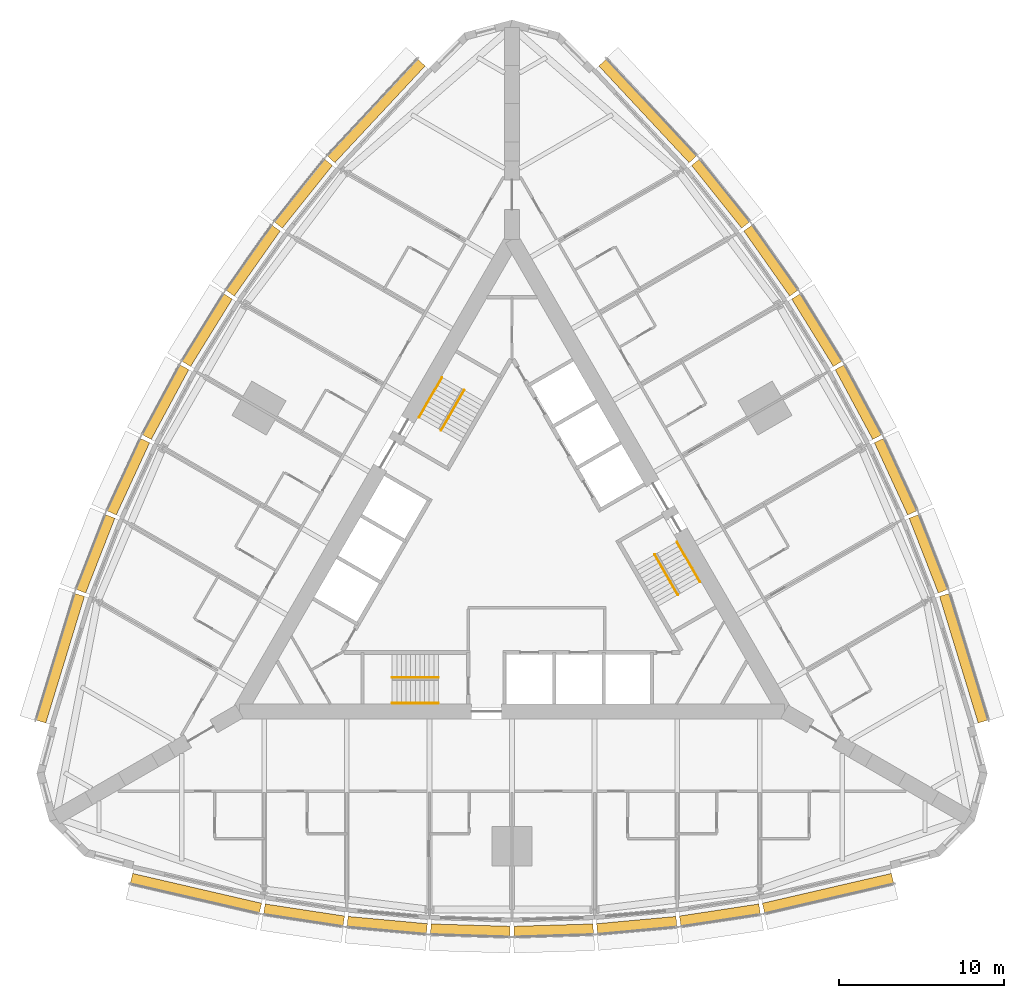
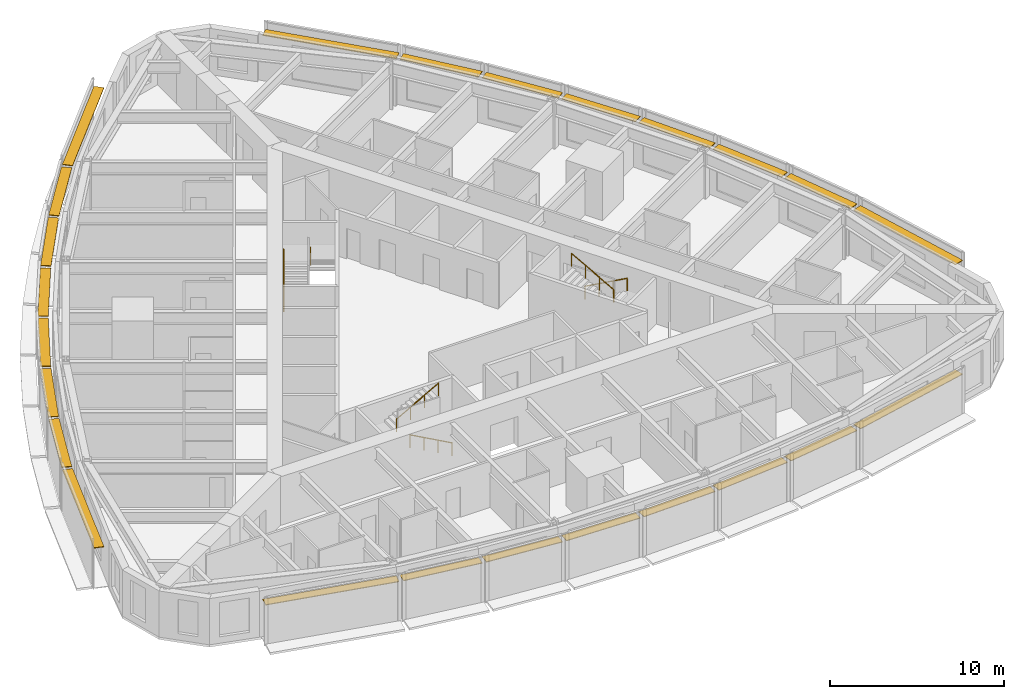
# One storey, part 14 of 14: 24 shading devices, 6 railings.
"""IFC4 building model written with IfcOpenShell, lengths in metres."""

from ifc_helpers import new_model, si_unit, direction, frame, origin, origin_2d, place, context, subcontext, project, spatial, rectangle, circle, extrude, material, type_object, element, save


model = new_model("IFC4")

# Units and contexts
model_context = context("Model", 3, precision=1e-05, world=origin(), true_north=direction((0.0, 1.0)))
body_context = subcontext(model_context, "Body", "Model", "MODEL_VIEW")
ifc_project = project(units=[si_unit("LENGTHUNIT", "METRE"), si_unit("AREAUNIT", "SQUARE_METRE"), si_unit("VOLUMEUNIT", "CUBIC_METRE"), si_unit("PLANEANGLEUNIT", "RADIAN"), si_unit("MASSUNIT", "GRAM", prefix="KILO")], contexts=[model_context])

# Site, building, storey
site_placement = place(None, origin())
site = spatial("IfcSite", under=ifc_project, at=site_placement, CompositionType="ELEMENT")
building_placement = place(site_placement, origin())
building = spatial("IfcBuilding", under=site, at=building_placement, Name="Trikona Tower", CompositionType="ELEMENT")
storey_placement = place(building_placement, frame((0.0, 0.0, 76.10009765625)))
storey = spatial("IfcBuildingStorey", under=building, at=storey_placement, Name="L19", CompositionType="ELEMENT", Elevation=76.10009765625)

# Shading devices
ifc_material_1 = material(Name="Aluminium louvre blade, pale anodised", Category="aluminium")
shading_device_type = type_object("IfcShadingDeviceType", Name="Cavity louvre 600", PredefinedType="USERDEFINED", material=ifc_material_1)
shading_device_1_placement = place(storey_placement, frame((-19.126220703125, -20.5234375, 2.77490234375), z_axis=(0.0, 0.0, 1.0), x_axis=(0.974277718622, -0.225350675607, 0.0)))
element("IfcShadingDevice", 1, at=shading_device_1_placement, inside=storey, type_object=shading_device_type, Name="Cavity louvre L19-00", ObjectType="LOUVRE", PredefinedType="USERDEFINED", context=body_context, shape_type="SweptSolid", body=[
    extrude(rectangle(XDim=8.01123046875, YDim=0.60009765625, at=origin_2d()), origin(), (0.0, 0.0, 1.0), 0.050048828125),
])
shading_device_2_placement = place(storey_placement, frame((-12.584228515625, -21.837158203125, 2.77490234375), z_axis=(0.0, 0.0, 1.0), x_axis=(0.988617896768, -0.150448177754, 0.0)))
element("IfcShadingDevice", 2, at=shading_device_2_placement, inside=storey, type_object=shading_device_type, Name="Cavity louvre L19-01", ObjectType="LOUVRE", PredefinedType="USERDEFINED", context=body_context, shape_type="SweptSolid", body=[
    extrude(rectangle(XDim=4.857666015625, YDim=0.60009765625, at=origin_2d()), origin(), (0.0, 0.0, 1.0), 0.050048828125),
])
shading_device_3_placement = place(storey_placement, frame((-7.55078125, -22.44970703125, 2.77490234375), z_axis=(0.0, 0.0, 1.0), x_axis=(0.995858098326, -0.090921108655, 0.0)))
element("IfcShadingDevice", 3, at=shading_device_3_placement, inside=storey, type_object=shading_device_type, Name="Cavity louvre L19-02", ObjectType="LOUVRE", PredefinedType="USERDEFINED", context=body_context, shape_type="SweptSolid", body=[
    extrude(rectangle(XDim=4.82080078125, YDim=0.60009765625, at=origin_2d()), origin(), (0.0, 0.0, 1.0), 0.050048828125),
])
for number, where, z_axis, x_axis, name in (
    (4, (-2.51708984375, -22.756103515625, 2.77490234375), (0.0, 0.0, 1.0), (0.999537048889, -0.030425119525, 0.0), "Cavity louvre L19-03"),
    (5, (2.51708984375, -22.756103515625, 2.77490234375), (0.0, 0.0, 1.0), (0.999537048889, 0.030425119525, 0.0), "Cavity louvre L19-04"),
):
    element("IfcShadingDevice", number, at=place(storey_placement, frame(where, z_axis=z_axis, x_axis=x_axis)), inside=storey, type_object=shading_device_type, Name=name, ObjectType="LOUVRE", PredefinedType="USERDEFINED", context=body_context, shape_type="SweptSolid", body=[
        extrude(rectangle(XDim=4.80224609375, YDim=0.60009765625, at=origin_2d()), origin(), (0.0, 0.0, 1.0), 0.050048828125),
    ])
shading_device_4_placement = place(storey_placement, frame((7.55078125, -22.44970703125, 2.77490234375), z_axis=(0.0, 0.0, 1.0), x_axis=(0.995858098326, 0.090921108655, 0.0)))
element("IfcShadingDevice", 6, at=shading_device_4_placement, inside=storey, type_object=shading_device_type, Name="Cavity louvre L19-05", ObjectType="LOUVRE", PredefinedType="USERDEFINED", context=body_context, shape_type="SweptSolid", body=[
    extrude(rectangle(XDim=4.82080078125, YDim=0.60009765625, at=origin_2d()), origin(), (0.0, 0.0, 1.0), 0.050048828125),
])
shading_device_5_placement = place(storey_placement, frame((12.584228515625, -21.837158203125, 2.77490234375), z_axis=(0.0, 0.0, 1.0), x_axis=(0.988617896768, 0.150448177754, 0.0)))
element("IfcShadingDevice", 7, at=shading_device_5_placement, inside=storey, type_object=shading_device_type, Name="Cavity louvre L19-06", ObjectType="LOUVRE", PredefinedType="USERDEFINED", context=body_context, shape_type="SweptSolid", body=[
    extrude(rectangle(XDim=4.857666015625, YDim=0.60009765625, at=origin_2d()), origin(), (0.0, 0.0, 1.0), 0.050048828125),
])
for number, where, z_axis, x_axis, name in (
    (8, (19.126220703125, -20.5234375, 2.77490234375), (0.0, 0.0, 1.0), (0.974277718622, 0.225350675607, 0.0), "Cavity louvre L19-07"),
    (9, (27.3369140625, -6.302001953125, 2.77490234375), (0.0, 0.0, 1.0), (-0.291979449475, 0.956424592471, 0.0), "Cavity louvre L19-12"),
):
    element("IfcShadingDevice", number, at=place(storey_placement, frame(where, z_axis=z_axis, x_axis=x_axis)), inside=storey, type_object=shading_device_type, Name=name, ObjectType="LOUVRE", PredefinedType="USERDEFINED", context=body_context, shape_type="SweptSolid", body=[
        extrude(rectangle(XDim=8.01123046875, YDim=0.60009765625, at=origin_2d()), origin(), (0.0, 0.0, 1.0), 0.050048828125),
    ])
shading_device_6_placement = place(storey_placement, frame((25.20361328125, 0.020263671875, 2.77490234375), z_axis=(0.0, 0.0, 1.0), x_axis=(-0.364008876551, 0.931395478726, 0.0)))
element("IfcShadingDevice", 10, at=shading_device_6_placement, inside=storey, type_object=shading_device_type, Name="Cavity louvre L19-13", ObjectType="LOUVRE", PredefinedType="USERDEFINED", context=body_context, shape_type="SweptSolid", body=[
    extrude(rectangle(XDim=4.857666015625, YDim=0.60009765625, at=origin_2d()), origin(), (0.0, 0.0, 1.0), 0.050048828125),
])
shading_device_7_placement = place(storey_placement, frame((23.217529296875, 4.685546875, 2.77490234375), z_axis=(0.0, 0.0, 1.0), x_axis=(-0.41919381307, 0.907896771161, 0.0)))
element("IfcShadingDevice", 11, at=shading_device_7_placement, inside=storey, type_object=shading_device_type, Name="Cavity louvre L19-14", ObjectType="LOUVRE", PredefinedType="USERDEFINED", context=body_context, shape_type="SweptSolid", body=[
    extrude(rectangle(XDim=4.82080078125, YDim=0.60009765625, at=origin_2d()), origin(), (0.0, 0.0, 1.0), 0.050048828125),
])
for number, where, z_axis, x_axis, name in (
    (12, (20.966064453125, 9.1982421875, 2.77490234375), (0.0, 0.0, 1.0), (-0.473422672721, 0.880835383572, 0.0), "Cavity louvre L19-15"),
    (13, (18.448974609375, 13.557861328125, 2.77490234375), (0.0, 0.0, 1.0), (-0.526118935114, 0.85041099835, 0.0), "Cavity louvre L19-16"),
):
    element("IfcShadingDevice", number, at=place(storey_placement, frame(where, z_axis=z_axis, x_axis=x_axis)), inside=storey, type_object=shading_device_type, Name=name, ObjectType="LOUVRE", PredefinedType="USERDEFINED", context=body_context, shape_type="SweptSolid", body=[
        extrude(rectangle(XDim=4.80224609375, YDim=0.60009765625, at=origin_2d()), origin(), (0.0, 0.0, 1.0), 0.050048828125),
    ])
shading_device_8_placement = place(storey_placement, frame((15.666748046875, 17.76416015625, 2.77490234375), z_axis=(0.0, 0.0, 1.0), x_axis=(-0.576661909499, 0.816982889743, 0.0)))
element("IfcShadingDevice", 14, at=shading_device_8_placement, inside=storey, type_object=shading_device_type, Name="Cavity louvre L19-17", ObjectType="LOUVRE", PredefinedType="USERDEFINED", context=body_context, shape_type="SweptSolid", body=[
    extrude(rectangle(XDim=4.82080078125, YDim=0.60009765625, at=origin_2d()), origin(), (0.0, 0.0, 1.0), 0.050048828125),
])
shading_device_9_placement = place(storey_placement, frame((12.619384765625, 21.81689453125, 2.77490234375), z_axis=(0.0, 0.0, 1.0), x_axis=(-0.624603618277, 0.780941944087, 0.0)))
element("IfcShadingDevice", 15, at=shading_device_9_placement, inside=storey, type_object=shading_device_type, Name="Cavity louvre L19-18", ObjectType="LOUVRE", PredefinedType="USERDEFINED", context=body_context, shape_type="SweptSolid", body=[
    extrude(rectangle(XDim=4.857666015625, YDim=0.60009765625, at=origin_2d()), origin(), (0.0, 0.0, 1.0), 0.050048828125),
])
for number, where, z_axis, x_axis, name in (
    (16, (8.210693359375, 26.825439453125, 2.77490234375), (0.0, 0.0, 1.0), (-0.682298269147, 0.731073916864, 0.0), "Cavity louvre L19-19"),
    (17, (-8.210693359375, 26.825439453125, 2.77490234375), (0.0, 0.0, 1.0), (-0.682298269147, -0.731073916864, 0.0), "Cavity louvre L19-24"),
):
    element("IfcShadingDevice", number, at=place(storey_placement, frame(where, z_axis=z_axis, x_axis=x_axis)), inside=storey, type_object=shading_device_type, Name=name, ObjectType="LOUVRE", PredefinedType="USERDEFINED", context=body_context, shape_type="SweptSolid", body=[
        extrude(rectangle(XDim=8.01123046875, YDim=0.60009765625, at=origin_2d()), origin(), (0.0, 0.0, 1.0), 0.050048828125),
    ])
shading_device_10_placement = place(storey_placement, frame((-12.619384765625, 21.81689453125, 2.77490234375), z_axis=(0.0, 0.0, 1.0), x_axis=(-0.624603618277, -0.780941944087, 0.0)))
element("IfcShadingDevice", 18, at=shading_device_10_placement, inside=storey, type_object=shading_device_type, Name="Cavity louvre L19-25", ObjectType="LOUVRE", PredefinedType="USERDEFINED", context=body_context, shape_type="SweptSolid", body=[
    extrude(rectangle(XDim=4.857666015625, YDim=0.60009765625, at=origin_2d()), origin(), (0.0, 0.0, 1.0), 0.050048828125),
])
shading_device_11_placement = place(storey_placement, frame((-15.666748046875, 17.76416015625, 2.77490234375), z_axis=(0.0, 0.0, 1.0), x_axis=(-0.576661909499, -0.816982889743, 0.0)))
element("IfcShadingDevice", 19, at=shading_device_11_placement, inside=storey, type_object=shading_device_type, Name="Cavity louvre L19-26", ObjectType="LOUVRE", PredefinedType="USERDEFINED", context=body_context, shape_type="SweptSolid", body=[
    extrude(rectangle(XDim=4.82080078125, YDim=0.60009765625, at=origin_2d()), origin(), (0.0, 0.0, 1.0), 0.050048828125),
])
for number, where, z_axis, x_axis, name in (
    (20, (-18.448974609375, 13.557861328125, 2.77490234375), (0.0, 0.0, 1.0), (-0.526118935114, -0.85041099835, 0.0), "Cavity louvre L19-27"),
    (21, (-20.966064453125, 9.1982421875, 2.77490234375), (0.0, 0.0, 1.0), (-0.473422672721, -0.880835383572, 0.0), "Cavity louvre L19-28"),
):
    element("IfcShadingDevice", number, at=place(storey_placement, frame(where, z_axis=z_axis, x_axis=x_axis)), inside=storey, type_object=shading_device_type, Name=name, ObjectType="LOUVRE", PredefinedType="USERDEFINED", context=body_context, shape_type="SweptSolid", body=[
        extrude(rectangle(XDim=4.80224609375, YDim=0.60009765625, at=origin_2d()), origin(), (0.0, 0.0, 1.0), 0.050048828125),
    ])
shading_device_12_placement = place(storey_placement, frame((-23.217529296875, 4.685546875, 2.77490234375), z_axis=(0.0, 0.0, 1.0), x_axis=(-0.41919381307, -0.907896771161, 0.0)))
element("IfcShadingDevice", 22, at=shading_device_12_placement, inside=storey, type_object=shading_device_type, Name="Cavity louvre L19-29", ObjectType="LOUVRE", PredefinedType="USERDEFINED", context=body_context, shape_type="SweptSolid", body=[
    extrude(rectangle(XDim=4.82080078125, YDim=0.60009765625, at=origin_2d()), origin(), (0.0, 0.0, 1.0), 0.050048828125),
])
shading_device_13_placement = place(storey_placement, frame((-25.20361328125, 0.020263671875, 2.77490234375), z_axis=(0.0, 0.0, 1.0), x_axis=(-0.364008876551, -0.931395478726, 0.0)))
element("IfcShadingDevice", 23, at=shading_device_13_placement, inside=storey, type_object=shading_device_type, Name="Cavity louvre L19-30", ObjectType="LOUVRE", PredefinedType="USERDEFINED", context=body_context, shape_type="SweptSolid", body=[
    extrude(rectangle(XDim=4.857666015625, YDim=0.60009765625, at=origin_2d()), origin(), (0.0, 0.0, 1.0), 0.050048828125),
])
shading_device_14_placement = place(storey_placement, frame((-27.3369140625, -6.302001953125, 2.77490234375), z_axis=(0.0, 0.0, 1.0), x_axis=(-0.291979449475, -0.956424592471, 0.0)))
element("IfcShadingDevice", 24, at=shading_device_14_placement, inside=storey, type_object=shading_device_type, Name="Cavity louvre L19-31", ObjectType="LOUVRE", PredefinedType="USERDEFINED", context=body_context, shape_type="SweptSolid", body=[
    extrude(rectangle(XDim=8.01123046875, YDim=0.60009765625, at=origin_2d()), origin(), (0.0, 0.0, 1.0), 0.050048828125),
])

# Railings
ifc_material_2 = material(Name="Stainless steel handrail", Category="steel")
railing_type = type_object("IfcRailingType", Name="Stair handrail", PredefinedType="HANDRAIL", material=ifc_material_2)
railing_1_placement = place(storey_placement, frame((-4.449951171875, -9.016357421875, 0.154296875)))
element("IfcRailing", 25, at=railing_1_placement, inside=storey, type_object=railing_type, Name="Stair handrail A L19 1", PredefinedType="HANDRAIL", context=body_context, shape_type="SweptSolid", body=[
    extrude(circle(Radius=0.02392578125, at=origin_2d()), frame((0.0, 0.0, 0.8759765625), z_axis=(-0.875471895205, 0.0, 0.483269035534), x_axis=(0.0, -1.0, 0.0)), (0.0, 0.0, 1.0), 3.1982421875),
    extrude(circle(Radius=0.02099609375, at=origin_2d()), origin(), (0.0, 0.0, 1.0), 0.851806640625),
    extrude(circle(Radius=0.02099609375, at=origin_2d()), frame((-0.933349609375, 0.0, 0.51513671875)), (0.0, 0.0, 1.0), 0.851806640625),
    extrude(circle(Radius=0.02099609375, at=origin_2d()), frame((-1.86669921875, 0.0, 1.030517578125)), (0.0, 0.0, 1.0), 0.851806640625),
    extrude(circle(Radius=0.02099609375, at=origin_2d()), frame((-2.800048828125, 0.0, 1.545654296875)), (0.0, 0.0, 1.0), 0.851806640625),
])
railing_2_placement = place(storey_placement, frame((-7.25, -7.46630859375, 1.8544921875)))
element("IfcRailing", 26, at=railing_2_placement, inside=storey, type_object=railing_type, Name="Stair handrail A L19 2", PredefinedType="HANDRAIL", context=body_context, shape_type="SweptSolid", body=[
    extrude(circle(Radius=0.02392578125, at=origin_2d()), frame((0.0, 0.0, 0.8759765625), z_axis=(0.875504190374, 0.0, 0.483210526207), x_axis=(0.0, 1.0, 0.0)), (0.0, 0.0, 1.0), 3.1982421875),
    extrude(circle(Radius=0.02099609375, at=origin_2d()), origin(), (0.0, 0.0, 1.0), 0.851806640625),
    extrude(circle(Radius=0.02099609375, at=origin_2d()), frame((0.933349609375, 0.0, 0.51513671875)), (0.0, 0.0, 1.0), 0.851806640625),
    extrude(circle(Radius=0.02099609375, at=origin_2d()), frame((1.86669921875, 0.0, 1.0302734375)), (0.0, 0.0, 1.0), 0.851806640625),
    extrude(circle(Radius=0.02099609375, at=origin_2d()), frame((2.800048828125, 0.0, 1.54541015625)), (0.0, 0.0, 1.0), 0.851806640625),
])
railing_3_placement = place(storey_placement, frame((9.9833984375, 0.740966796875, 0.154296875)))
element("IfcRailing", 27, at=railing_3_placement, inside=storey, type_object=railing_type, Name="Stair handrail B L19 1", PredefinedType="HANDRAIL", context=body_context, shape_type="SweptSolid", body=[
    extrude(circle(Radius=0.02392578125, at=origin_2d()), frame((0.0, 0.0, 0.8759765625), z_axis=(0.437691042731, -0.758211567396, 0.483261596012), x_axis=(0.866056369097, 0.49994636267, 0.0)), (0.0, 0.0, 1.0), 3.198486328125),
    extrude(circle(Radius=0.02099609375, at=origin_2d()), origin(), (0.0, 0.0, 1.0), 0.851806640625),
    extrude(circle(Radius=0.02099609375, at=origin_2d()), frame((0.466552734375, -0.808349609375, 0.51513671875)), (0.0, 0.0, 1.0), 0.851806640625),
    extrude(circle(Radius=0.02099609375, at=origin_2d()), frame((0.933349609375, -1.61669921875, 1.030517578125)), (0.0, 0.0, 1.0), 0.851806640625),
    extrude(circle(Radius=0.02099609375, at=origin_2d()), frame((1.39990234375, -2.425048828125, 1.545654296875)), (0.0, 0.0, 1.0), 0.851806640625),
])
railing_4_placement = place(storey_placement, frame((10.041015625, -2.458984375, 1.8544921875)))
element("IfcRailing", 28, at=railing_4_placement, inside=storey, type_object=railing_type, Name="Stair handrail B L19 2", PredefinedType="HANDRAIL", context=body_context, shape_type="SweptSolid", body=[
    extrude(circle(Radius=0.02392578125, at=origin_2d()), frame((0.0, 0.0, 0.8759765625), z_axis=(-0.437707188162, 0.758239536103, 0.483203087036), x_axis=(-0.866056369097, -0.49994636267, 0.0)), (0.0, 0.0, 1.0), 3.1982421875),
    extrude(circle(Radius=0.02099609375, at=origin_2d()), origin(), (0.0, 0.0, 1.0), 0.851806640625),
    extrude(circle(Radius=0.02099609375, at=origin_2d()), frame((-0.466552734375, 0.808349609375, 0.51513671875)), (0.0, 0.0, 1.0), 0.851806640625),
    extrude(circle(Radius=0.02099609375, at=origin_2d()), frame((-0.933349609375, 1.61669921875, 1.0302734375)), (0.0, 0.0, 1.0), 0.851806640625),
    extrude(circle(Radius=0.02099609375, at=origin_2d()), frame((-1.39990234375, 2.425048828125, 1.54541015625)), (0.0, 0.0, 1.0), 0.851806640625),
])
railing_5_placement = place(storey_placement, frame((-5.63330078125, 8.275390625, 0.154296875)))
element("IfcRailing", 29, at=railing_5_placement, inside=storey, type_object=railing_type, Name="Stair handrail C L19 1", PredefinedType="HANDRAIL", context=body_context, shape_type="SweptSolid", body=[
    extrude(circle(Radius=0.02392578125, at=origin_2d()), frame((0.0, 0.0, 0.8759765625), z_axis=(0.437716375571, 0.758179114435, 0.4832895664), x_axis=(-0.866034573852, 0.49998411664, 0.0)), (0.0, 0.0, 1.0), 3.1982421875),
    extrude(circle(Radius=0.02099609375, at=origin_2d()), origin(), (0.0, 0.0, 1.0), 0.851806640625),
    extrude(circle(Radius=0.02099609375, at=origin_2d()), frame((0.466552734375, 0.808349609375, 0.51513671875)), (0.0, 0.0, 1.0), 0.851806640625),
    extrude(circle(Radius=0.02099609375, at=origin_2d()), frame((0.933349609375, 1.616455078125, 1.030517578125)), (0.0, 0.0, 1.0), 0.851806640625),
    extrude(circle(Radius=0.02099609375, at=origin_2d()), frame((1.39990234375, 2.4248046875, 1.545654296875)), (0.0, 0.0, 1.0), 0.851806640625),
])
railing_6_placement = place(storey_placement, frame((-2.89111328125, 9.92529296875, 1.8544921875)))
element("IfcRailing", 30, at=railing_6_placement, inside=storey, type_object=railing_type, Name="Stair handrail C L19 2", PredefinedType="HANDRAIL", context=body_context, shape_type="SweptSolid", body=[
    extrude(circle(Radius=0.02392578125, at=origin_2d()), frame((0.0, 0.0, 0.8759765625), z_axis=(-0.437707188162, -0.758239536103, 0.483203087036), x_axis=(0.866056369097, -0.49994636267, 0.0)), (0.0, 0.0, 1.0), 3.1982421875),
    extrude(circle(Radius=0.02099609375, at=origin_2d()), origin(), (0.0, 0.0, 1.0), 0.851806640625),
    extrude(circle(Radius=0.02099609375, at=origin_2d()), frame((-0.466552734375, -0.808349609375, 0.51513671875)), (0.0, 0.0, 1.0), 0.851806640625),
    extrude(circle(Radius=0.02099609375, at=origin_2d()), frame((-0.933349609375, -1.61669921875, 1.0302734375)), (0.0, 0.0, 1.0), 0.851806640625),
    extrude(circle(Radius=0.02099609375, at=origin_2d()), frame((-1.39990234375, -2.425048828125, 1.54541015625)), (0.0, 0.0, 1.0), 0.851806640625),
])

save(model, "model.ifc")
